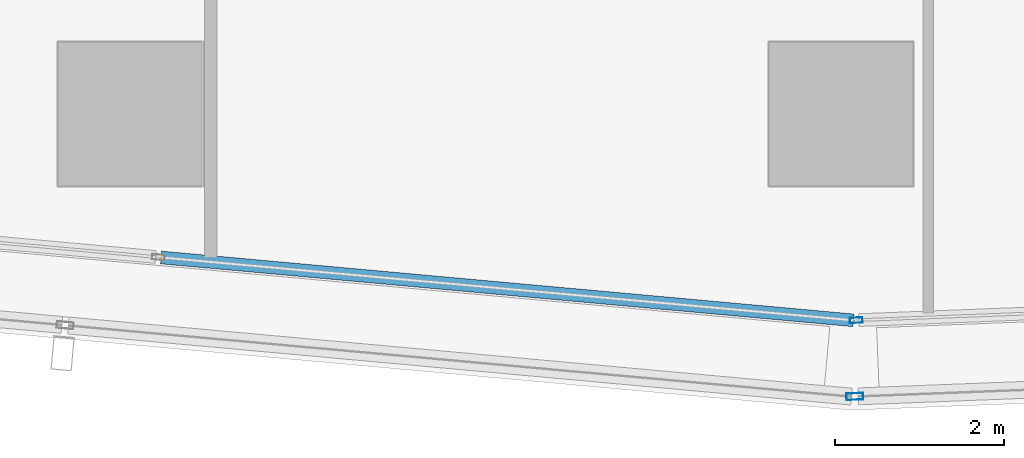
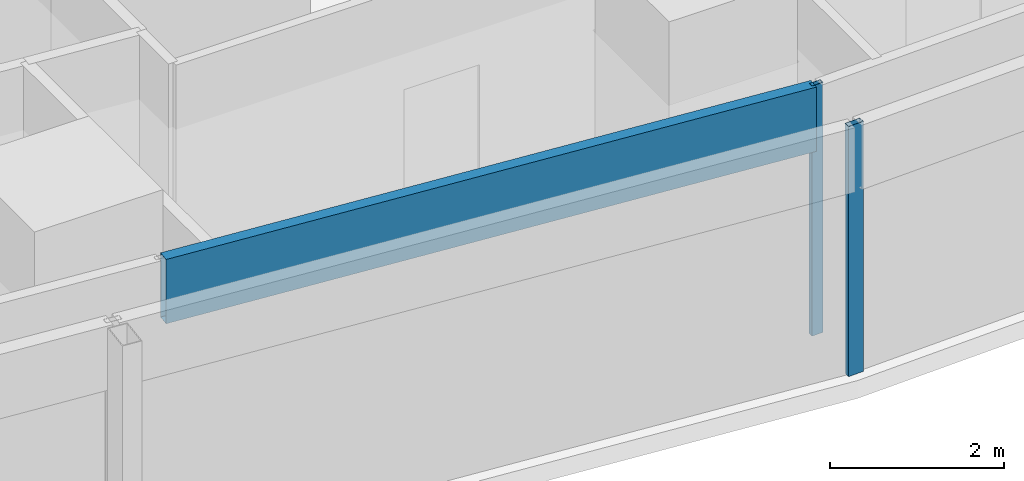
# One storey, part 5 of 40: 3 members, 3 elements without a shape of their own.
"""IFC4 building model written with IfcOpenShell, lengths in metres."""

from ifc_helpers import new_model, si_unit, direction, frame, origin, origin_2d, place, context, subcontext, project, spatial, hollow_rectangle, extrude, material, material_profile, profile_set, type_object, element, aggregate, save


model = new_model("IFC4")

# Units and contexts
model_context = context("Model", 3, precision=1e-05, world=origin(), true_north=direction((0.0, 1.0)))
body_context = subcontext(model_context, "Body", "Model", "MODEL_VIEW")
ifc_project = project(units=[si_unit("LENGTHUNIT", "METRE"), si_unit("AREAUNIT", "SQUARE_METRE"), si_unit("VOLUMEUNIT", "CUBIC_METRE"), si_unit("PLANEANGLEUNIT", "RADIAN"), si_unit("MASSUNIT", "GRAM", prefix="KILO")], contexts=[model_context])

# Site, building, storey
site_placement = place(None, origin())
site = spatial("IfcSite", under=ifc_project, at=site_placement, CompositionType="ELEMENT")
building_placement = place(site_placement, origin())
building = spatial("IfcBuilding", under=site, at=building_placement, Name="Rekha Terrace Tower", CompositionType="ELEMENT")
storey_placement = place(building_placement, frame((0.0, 0.0, 125.300048828125)))
storey = spatial("IfcBuildingStorey", under=building, at=storey_placement, Name="L31", CompositionType="ELEMENT", Elevation=125.300048828125)

# Curtain wall, member
ifc_material_1 = material(Name="Aluminium framing", Category="aluminium")
curtain_wall_type_1 = type_object("IfcCurtainWallType", Name="CW1 double skin inner glazing", PredefinedType="USERDEFINED", material=ifc_material_1)
curtain_wall_1_placement = place(storey_placement, origin())
curtain_wall_1 = element("IfcCurtainWall", 1, at=curtain_wall_1_placement, inside=storey, type_object=curtain_wall_type_1, Name="CW1 double skin inner glazing", ObjectType="DOUBLE SKIN INNER GLAZING", PredefinedType="USERDEFINED")
ifc_material_2 = material(Name="Aluminium mullion section", Category="aluminium")
ifc_material_profile_1 = material_profile(ifc_material_2, hollow_rectangle(XDim=0.06494140625, YDim=0.14990234375, WallThickness=0.00390625, at=origin_2d()), Name="AL RHS 65x150")
ifc_profile_set_1 = profile_set([ifc_material_profile_1], Name="Aluminium mullion section")
member_type_1 = type_object("IfcMemberType", Name="CW1 mullion RHS 65 x 150", PredefinedType="MULLION", material=ifc_profile_set_1)
member_1_placement = place(storey_placement, frame((25.3798828125, 14.363037109375, 0.0), z_axis=(0.0, 0.0, 1.0), x_axis=(-0.038889971345, 0.999243498917, 0.0)))
member_1 = element("IfcMember", 2, at=member_1_placement, type_object=member_type_1, Name="CW1 mullion 1", PredefinedType="MULLION", context=body_context, shape_type="SweptSolid", body=[
    extrude(hollow_rectangle(XDim=0.06494140625, YDim=0.14990234375, WallThickness=0.00390625, at=origin_2d()), origin(), (0.0, 0.0, 1.0), 3.5),
])
aggregate(curtain_wall_1, [member_1])

curtain_wall_2_placement = place(storey_placement, origin())
curtain_wall_2 = element("IfcCurtainWall", 3, at=curtain_wall_2_placement, inside=storey, type_object=curtain_wall_type_1, Name="CW1 double skin inner glazing", ObjectType="DOUBLE SKIN INNER GLAZING", PredefinedType="USERDEFINED")
ifc_material_3 = material(Name="Insulated aluminium spandrel box", Category="aluminium")
ifc_material_profile_2 = material_profile(ifc_material_3, hollow_rectangle(XDim=0.14990234375, YDim=0.89990234375, WallThickness=0.0029296875, at=origin_2d()), Name="AL SPANDREL BOX 150x900")
ifc_profile_set_2 = profile_set([ifc_material_profile_2], Name="Insulated aluminium spandrel box")
member_type_2 = type_object("IfcMemberType", Name="CW1 spandrel transom 150 x 900", PredefinedType="USERDEFINED", material=ifc_profile_set_2)
member_2_placement = place(storey_placement, frame((17.16650390625, 15.104736328125, 3.050048828125), z_axis=(0.995901971759, -0.090439276017, 0.0), x_axis=(0.090439276017, 0.995901971759, 0.0)))
member_2 = element("IfcMember", 4, at=member_2_placement, type_object=member_type_2, Name="CW1 spandrel transom 2", ObjectType="TRANSOM", PredefinedType="USERDEFINED", context=body_context, shape_type="SweptSolid", body=[
    extrude(hollow_rectangle(XDim=0.14990234375, YDim=0.89990234375, WallThickness=0.0029296875, at=origin_2d()), origin(), (0.0, 0.0, 1.0), 8.214599609375),
])
aggregate(curtain_wall_2, [member_2])

curtain_wall_type_2 = type_object("IfcCurtainWallType", Name="CW2 double skin outer glazing", PredefinedType="USERDEFINED", material=ifc_material_1)
curtain_wall_3_placement = place(storey_placement, origin())
curtain_wall_3 = element("IfcCurtainWall", 5, at=curtain_wall_3_placement, inside=storey, type_object=curtain_wall_type_2, Name="CW2 double skin outer glazing", ObjectType="DOUBLE SKIN OUTER GLAZING", PredefinedType="USERDEFINED")
ifc_material_profile_3 = material_profile(ifc_material_2, hollow_rectangle(XDim=0.080078125, YDim=0.199951171875, WallThickness=0.00390625, at=origin_2d()), Name="AL RHS 80x200")
ifc_profile_set_3 = profile_set([ifc_material_profile_3], Name="Aluminium mullion section")
member_type_3 = type_object("IfcMemberType", Name="CW2 mullion RHS 80 x 200", PredefinedType="MULLION", material=ifc_profile_set_3)
member_3_placement = place(storey_placement, frame((25.364013671875, 13.4619140625, 0.0), z_axis=(0.0, 0.0, 1.0), x_axis=(-0.038889971345, 0.999243498917, 0.0)))
member_3 = element("IfcMember", 6, at=member_3_placement, type_object=member_type_3, Name="CW2 mullion 1", PredefinedType="MULLION", context=body_context, shape_type="SweptSolid", body=[
    extrude(hollow_rectangle(XDim=0.080078125, YDim=0.199951171875, WallThickness=0.00390625, at=origin_2d()), origin(), (0.0, 0.0, 1.0), 3.5),
])
aggregate(curtain_wall_3, [member_3])

save(model, "model.ifc")
